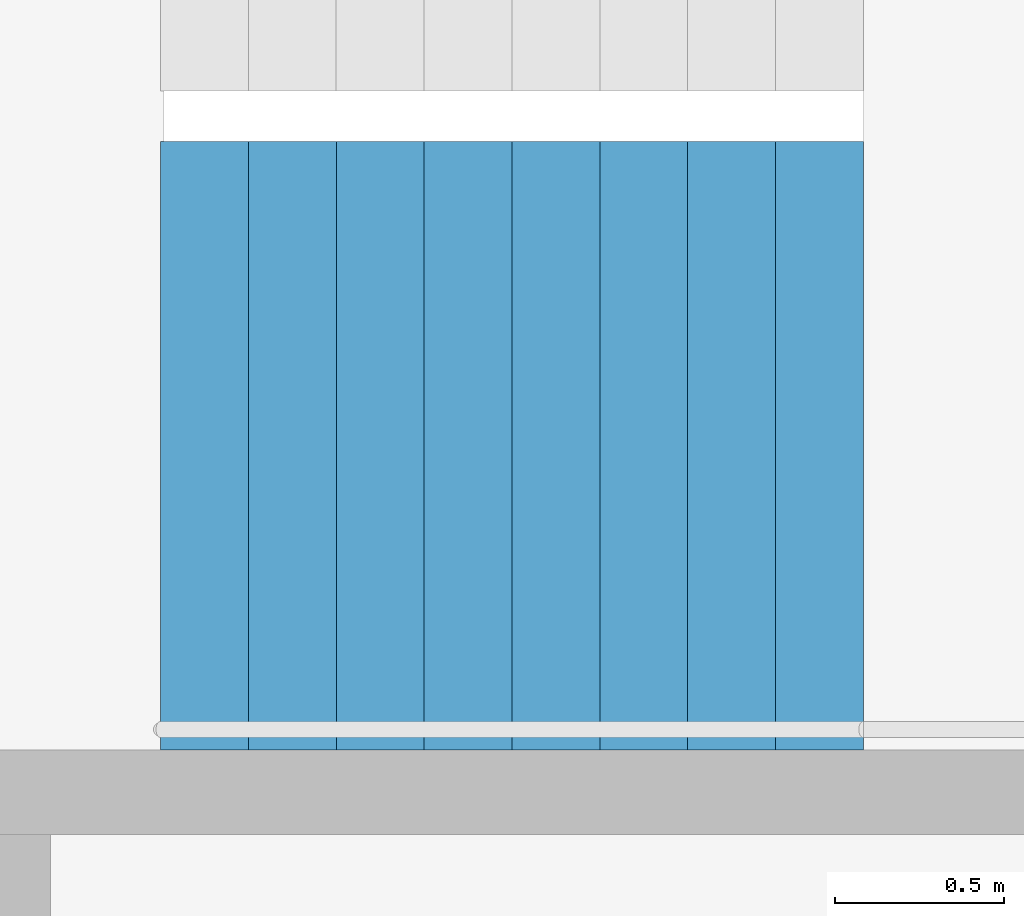
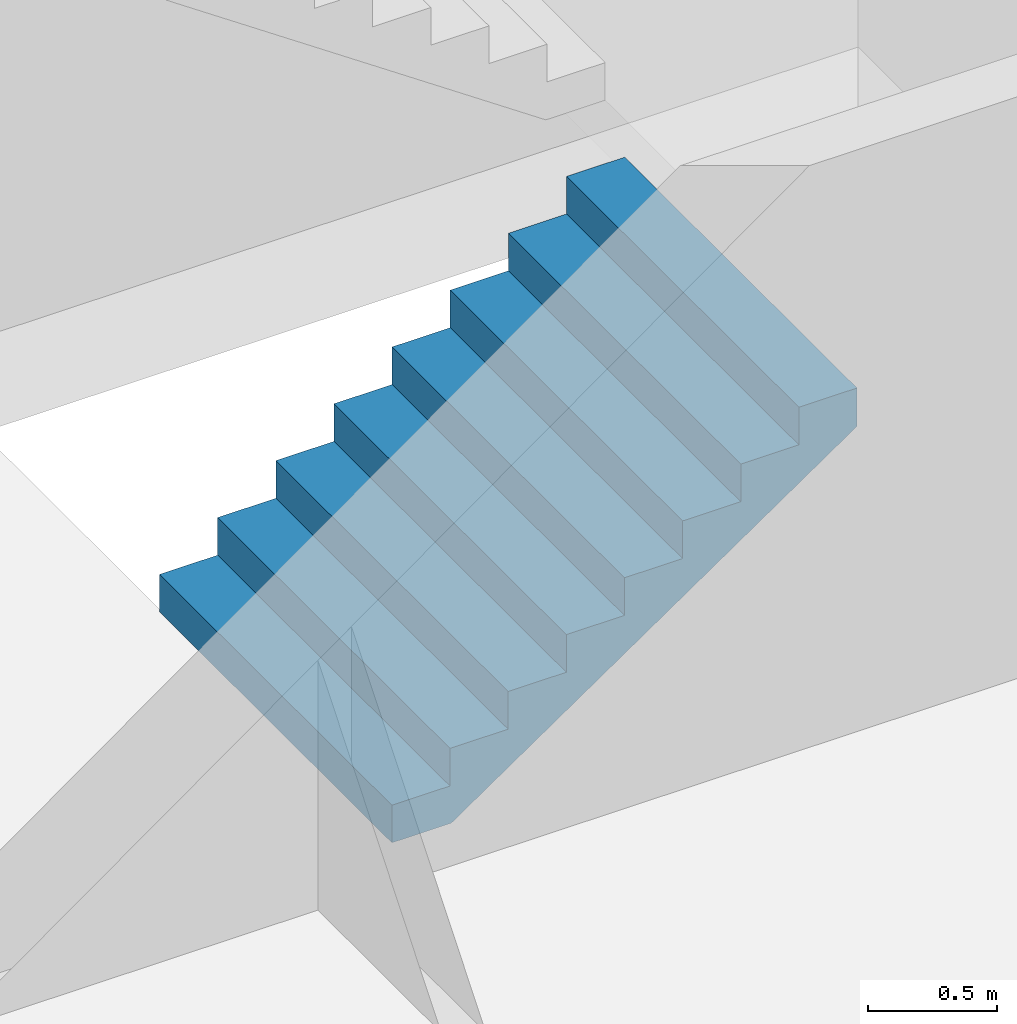
# One storey, part 18 of 28: 1 stair flight, 1 element without a shape of its own.
"""IFC4 building model written with IfcOpenShell, lengths in metres."""

import ifcopenshell
import ifcopenshell.guid

model = None  # the IFC model being written
_history = None  # IfcOwnerHistory: only IFC2X3 demands one
_inside = {}  # id of a spatial element -> (the spatial element, [elements in it])
_under = {}  # id of a project, library or spatial element -> (it, [spatial elements below it])
_declared = {}  # id of a project -> (the project, [libraries it declares])
_typed = {}  # id of a type object -> (the type object, [elements of that type])
_made_of = {}  # id of a material, layer set ... -> (it, [elements and type objects made of it])


def new_model(schema):
    """Start an empty IFC model of exactly this schema.

    Asked for "IFC4X3", IfcOpenShell would pick the latest addendum, in which some entities
    have other attributes; the version numbers below select the first issue.
    IFC2X3 requires an IfcOwnerHistory on every rooted entity: one is made here for all.
    """
    global model, _history
    if schema == "IFC4X3":
        model = ifcopenshell.file(schema_version=(4, 3, 0, 0))
    else:
        model = ifcopenshell.file(schema=schema)
    _inside.clear()
    _under.clear()
    _declared.clear()
    _typed.clear()
    _made_of.clear()
    _history = None
    if model.schema == "IFC2X3":
        org = make("IfcOrganization", Name="unknown")
        user = make(
            "IfcPersonAndOrganization",
            ThePerson=make("IfcPerson", FamilyName="unknown"),
            TheOrganization=org,
        )
        app = make(
            "IfcApplication",
            ApplicationDeveloper=org,
            Version="unknown",
            ApplicationFullName="unknown",
            ApplicationIdentifier="unknown",
        )
        _history = make(
            "IfcOwnerHistory",
            OwningUser=user,
            OwningApplication=app,
            ChangeAction="ADDED",
            CreationDate=0,
        )
    return model


def make(cls, **values):
    """One entity of the class cls with the attributes given. An attribute that is None is left unset."""
    return model.create_entity(
        cls, **{name: value for name, value in values.items() if value is not None}
    )


def rooted(cls, **values):
    """An entity with a GlobalId (a new one), such as an element, a storey or a relation."""
    return make(cls, GlobalId=ifcopenshell.guid.new(), OwnerHistory=_history, **values)


def si_unit(unit_type, name, prefix=None):
    """IfcSIUnit, for example si_unit("LENGTHUNIT", "METRE", prefix="MILLI")."""
    return make("IfcSIUnit", UnitType=unit_type, Prefix=prefix, Name=name)


def assignment(units):
    """IfcUnitAssignment: the units of a project."""
    return None if units is None else make("IfcUnitAssignment", Units=units)


def point(xyz):
    """IfcCartesianPoint."""
    return None if xyz is None else make("IfcCartesianPoint", Coordinates=xyz)


def direction(xyz):
    """IfcDirection."""
    return None if xyz is None else make("IfcDirection", DirectionRatios=xyz)


def frame(location, z_axis=None, x_axis=None):
    """IfcAxis2Placement3D, a coordinate frame: its origin and axes. An axis left out is left unset."""
    return make(
        "IfcAxis2Placement3D",
        Location=point(location),
        Axis=direction(z_axis),
        RefDirection=direction(x_axis),
    )


def origin():
    """The frame at (0, 0, 0) with its axes left unset."""
    return frame((0.0, 0.0, 0.0))


def place(relative_to, where):
    """IfcLocalPlacement: puts the frame where relative to a parent placement (None: the world)."""
    return make(
        "IfcLocalPlacement", PlacementRelTo=relative_to, RelativePlacement=where
    )


def context(
    kind, dimensions, precision=None, world=None, true_north=None, identifier=None
):
    """IfcGeometricRepresentationContext, for example the 3D "Model" context."""
    return make(
        "IfcGeometricRepresentationContext",
        ContextIdentifier=identifier,
        ContextType=kind,
        CoordinateSpaceDimension=dimensions,
        Precision=precision,
        WorldCoordinateSystem=world,
        TrueNorth=true_north,
    )


def subcontext(parent, identifier, kind, view, scale=None):
    """IfcGeometricRepresentationSubContext, for example "Body" below "Model"."""
    return make(
        "IfcGeometricRepresentationSubContext",
        ContextIdentifier=identifier,
        ContextType=kind,
        ParentContext=parent,
        TargetScale=scale,
        TargetView=view,
    )


def project(units=None, contexts=None):
    """IfcProject with its units and contexts."""
    return rooted(
        "IfcProject",
        Name="project",
        RepresentationContexts=contexts,
        UnitsInContext=assignment(units),
    )


def spatial(cls, under=None, at=None, **own):
    """A site, building, storey or space (cls), placed at a placement, below another one or the project."""
    s = rooted(cls, ObjectPlacement=at, **own)
    if under is not None:
        _under.setdefault(under.id(), (under, []))[1].append(s)
    return s


def point_list(points):
    """IfcCartesianPointList2D or 3D."""
    cls = (
        "IfcCartesianPointList2D" if len(points[0]) == 2 else "IfcCartesianPointList3D"
    )
    return make(cls, CoordList=points)


def triangles(points, corners, closed=None, point_numbers=None):
    """IfcTriangulatedFaceSet: each triangle names its three corners, points numbered from 1."""
    return make(
        "IfcTriangulatedFaceSet",
        Coordinates=point_list(points),
        Closed=closed,
        CoordIndex=corners,
        PnIndex=point_numbers,
    )


def shape(context_of_items, identifier, shape_type, items):
    """IfcShapeRepresentation: the items that make up one representation, for example the "Body"."""
    return make(
        "IfcShapeRepresentation",
        ContextOfItems=context_of_items,
        RepresentationIdentifier=identifier,
        RepresentationType=shape_type,
        Items=items,
    )


def material(Name=None, Category=None):
    """IfcMaterial."""
    return make("IfcMaterial", Name=Name, Category=Category)


def made_of(thing, what):
    """Note that an element or type object is made of a material, layer set ...; save() writes the relation."""
    if what is not None:
        _made_of.setdefault(what.id(), (what, []))[1].append(thing)
    return thing


def type_object(cls, material=None, **own):
    """A type object (cls), such as IfcWallType, which elements share."""
    return made_of(rooted(cls, **own), material)


def element(
    cls,
    number,
    at=None,
    inside=None,
    cuts=None,
    type_object=None,
    material=None,
    context=None,
    identifier="Body",
    shape_type=None,
    held_by="IfcProductDefinitionShape",
    body=None,
    shapes=None,
    **own,
):
    """One element of the class cls, such as IfcWall. Its Tag is "e" and its number.

    at: its placement. inside: the storey or other place that contains it. cuts: it is an
    opening in that element (IfcRelVoidsElement). A single representation is given by context,
    identifier, shape_type and body (its items); several are given by shapes. held_by: the class
    of the entity that holds the representations. save() writes the other relations.
    """
    e = rooted(cls, Tag="e%d" % number, ObjectPlacement=at, **own)
    if body is not None:
        shapes = [shape(context, identifier, shape_type, body)]
    if shapes is not None:
        e.Representation = make(held_by, Representations=shapes)
    if inside is not None:
        _inside.setdefault(inside.id(), (inside, []))[1].append(e)
    if cuts is not None:
        rooted(
            "IfcRelVoidsElement", RelatingBuildingElement=cuts, RelatedOpeningElement=e
        )
    if type_object is not None:
        _typed.setdefault(type_object.id(), (type_object, []))[1].append(e)
    return made_of(e, material)


def aggregate(whole, parts):
    """IfcRelAggregates: a whole, such as a stair, and the parts it consists of."""
    return rooted("IfcRelAggregates", RelatingObject=whole, RelatedObjects=parts)


def save(model, path):
    """Write the relations noted so far, then the file.

    IfcRelAggregates (storeys below a building ...), IfcRelContainedInSpatialStructure (elements
    in a storey), IfcRelDefinesByType, IfcRelAssociatesMaterial and IfcRelDeclares: one each for
    every whole, place, type object, material and project.
    """
    for whole, parts in _under.values():
        aggregate(whole, parts)
    for where, things in _inside.values():
        rooted(
            "IfcRelContainedInSpatialStructure",
            RelatedElements=things,
            RelatingStructure=where,
        )
    for kind, things in _typed.values():
        rooted("IfcRelDefinesByType", RelatedObjects=things, RelatingType=kind)
    for what, things in _made_of.values():
        rooted("IfcRelAssociatesMaterial", RelatedObjects=things, RelatingMaterial=what)
    for by, libraries in _declared.values():
        rooted("IfcRelDeclares", RelatingContext=by, RelatedDefinitions=libraries)
    model.write(path)


model = new_model("IFC4")

# Units and contexts
model_context = context("Model", 3, precision=1e-05, world=origin(), true_north=direction((0.0, 1.0)))
body_context = subcontext(model_context, "Body", "Model", "MODEL_VIEW")
ifc_project = project(units=[si_unit("LENGTHUNIT", "METRE"), si_unit("AREAUNIT", "SQUARE_METRE"), si_unit("VOLUMEUNIT", "CUBIC_METRE"), si_unit("PLANEANGLEUNIT", "RADIAN"), si_unit("MASSUNIT", "GRAM", prefix="KILO")], contexts=[model_context])

# Site, building, storey
site_placement = place(None, origin())
site = spatial("IfcSite", under=ifc_project, at=site_placement, CompositionType="ELEMENT")
building_placement = place(site_placement, origin())
building = spatial("IfcBuilding", under=site, at=building_placement, Name="Hakoniwa Tower and Hamabe Station Hall", CompositionType="ELEMENT")
storey_placement = place(building_placement, frame((0.0, 0.0, 193.0)))
storey = spatial("IfcBuildingStorey", under=building, at=storey_placement, Name="L54", CompositionType="ELEMENT", Elevation=193.0)

# Stair, stair flight
ifc_material_1 = material(Name="Concrete C40", Category="concrete")
stair_type = type_object("IfcStairType", Name="ESCAPE STAIR 1800", PredefinedType="HALF_TURN_STAIR", material=ifc_material_1)
stair_placement = place(storey_placement, origin())
stair = element("IfcStair", 1, at=stair_placement, inside=storey, type_object=stair_type, Name="Escape stair ST-1 L54", PredefinedType="HALF_TURN_STAIR")
ifc_material_2 = material(Name="Concrete C40", Category="concrete")
stair_flight_type = type_object("IfcStairFlightType", Name="STAIR FLIGHT 1800", PredefinedType="STRAIGHT", material=ifc_material_2)
stair_flight_placement = place(storey_placement, frame((-24.39990234375, 4.64990234375, 0.0), z_axis=(0.0, 0.0, 1.0), x_axis=(1.0, 0.0, 0.0)))
stair_flight = element("IfcStairFlight", 2, at=stair_flight_placement, type_object=stair_flight_type, Name="ST-1 flight 1", NumberOfRisers=9, NumberOfTreads=8, PredefinedType="STRAIGHT", RiserHeight=0.177777778, TreadLength=0.26, context=body_context, shape_type="Tessellation", body=[
    triangles([(0.0, 0.89990234375, 0.0), (0.260009765625, 0.89990234375, 0.0), (0.265625, 0.89990234375, 0.0), (0.52001953125, 0.89990234375, 0.174072265625), (0.780029296875, 0.89990234375, 0.351806640625), (1.0400390625, 0.89990234375, 0.529541015625), (1.300048828125, 0.89990234375, 0.707275390625), (1.56005859375, 0.89990234375, 0.885009765625), (1.820068359375, 0.89990234375, 1.062744140625), (2.080078125, 0.89990234375, 1.24072265625), (2.080078125, 0.89990234375, 1.422119140625), (1.820068359375, 0.89990234375, 1.422119140625), (1.820068359375, 0.89990234375, 1.244384765625), (1.56005859375, 0.89990234375, 1.244384765625), (1.56005859375, 0.89990234375, 1.066650390625), (1.300048828125, 0.89990234375, 1.066650390625), (1.300048828125, 0.89990234375, 0.888916015625), (1.0400390625, 0.89990234375, 0.888916015625), (1.0400390625, 0.89990234375, 0.711181640625), (0.780029296875, 0.89990234375, 0.711181640625), (0.780029296875, 0.89990234375, 0.533447265625), (0.52001953125, 0.89990234375, 0.533447265625), (0.52001953125, 0.89990234375, 0.35546875), (0.265625, 0.89990234375, 0.35546875), (0.260009765625, 0.89990234375, 0.35546875), (0.260009765625, 0.89990234375, 0.177734375), (0.0, 0.89990234375, 0.177734375), (0.0, 0.06005859375, 0.0), (0.260009765625, 0.06005859375, 0.0), (0.265625, 0.06005859375, 0.0), (0.52001953125, 0.06005859375, 0.174072265625), (0.780029296875, 0.06005859375, 0.351806640625), (1.0400390625, 0.06005859375, 0.529541015625), (1.300048828125, 0.06005859375, 0.707275390625), (1.56005859375, 0.06005859375, 0.885009765625), (1.820068359375, 0.06005859375, 1.062744140625), (2.080078125, 0.06005859375, 1.24072265625), (2.080078125, 0.06005859375, 1.422119140625), (1.820068359375, 0.06005859375, 1.422119140625), (1.820068359375, 0.06005859375, 1.244384765625), (1.56005859375, 0.06005859375, 1.244384765625), (1.56005859375, 0.06005859375, 1.066650390625), (1.300048828125, 0.06005859375, 1.066650390625), (1.300048828125, 0.06005859375, 0.888916015625), (1.0400390625, 0.06005859375, 0.888916015625), (1.0400390625, 0.06005859375, 0.711181640625), (0.780029296875, 0.06005859375, 0.711181640625), (0.780029296875, 0.06005859375, 0.533447265625), (0.52001953125, 0.06005859375, 0.533447265625), (0.52001953125, 0.06005859375, 0.35546875), (0.265625, 0.06005859375, 0.35546875), (0.260009765625, 0.06005859375, 0.35546875), (0.260009765625, 0.06005859375, 0.177734375), (0.0, 0.06005859375, 0.177734375), (0.0, 0.04296875, 0.0), (0.260009765625, 0.04296875, 0.0), (0.265625, 0.04296875, 0.0), (0.52001953125, 0.04296875, 0.174072265625), (0.780029296875, 0.04296875, 0.351806640625), (1.0400390625, 0.04296875, 0.529541015625), (1.300048828125, 0.04296875, 0.707275390625), (1.56005859375, 0.04296875, 0.885009765625), (1.820068359375, 0.04296875, 1.062744140625), (2.080078125, 0.04296875, 1.24072265625), (2.080078125, 0.04296875, 1.422119140625), (1.820068359375, 0.04296875, 1.422119140625), (1.820068359375, 0.04296875, 1.244384765625), (1.56005859375, 0.04296875, 1.244384765625), (1.56005859375, 0.04296875, 1.066650390625), (1.300048828125, 0.04296875, 1.066650390625), (1.300048828125, 0.04296875, 0.888916015625), (1.0400390625, 0.04296875, 0.888916015625), (1.0400390625, 0.04296875, 0.711181640625), (0.780029296875, 0.04296875, 0.711181640625), (0.780029296875, 0.04296875, 0.533447265625), (0.52001953125, 0.04296875, 0.533447265625), (0.52001953125, 0.04296875, 0.35546875), (0.265625, 0.04296875, 0.35546875), (0.260009765625, 0.04296875, 0.35546875), (0.260009765625, 0.04296875, 0.177734375), (0.0, 0.04296875, 0.177734375), (0.0, 0.025634765625, 0.0), (0.260009765625, 0.025634765625, 0.0), (0.265625, 0.025634765625, 0.0), (0.52001953125, 0.025634765625, 0.174072265625), (0.780029296875, 0.025634765625, 0.351806640625), (1.0400390625, 0.025634765625, 0.529541015625), (1.300048828125, 0.025634765625, 0.707275390625), (1.56005859375, 0.025634765625, 0.885009765625), (1.820068359375, 0.025634765625, 1.062744140625), (2.080078125, 0.025634765625, 1.24072265625), (2.080078125, 0.025634765625, 1.422119140625), (1.820068359375, 0.025634765625, 1.422119140625), (1.820068359375, 0.025634765625, 1.244384765625), (1.56005859375, 0.025634765625, 1.244384765625), (1.56005859375, 0.025634765625, 1.066650390625), (1.300048828125, 0.025634765625, 1.066650390625), (1.300048828125, 0.025634765625, 0.888916015625), (1.0400390625, 0.025634765625, 0.888916015625), (1.0400390625, 0.025634765625, 0.711181640625), (0.780029296875, 0.025634765625, 0.711181640625), (0.780029296875, 0.025634765625, 0.533447265625), (0.52001953125, 0.025634765625, 0.533447265625), (0.52001953125, 0.025634765625, 0.35546875), (0.265625, 0.025634765625, 0.35546875), (0.260009765625, 0.025634765625, 0.35546875), (0.260009765625, 0.025634765625, 0.177734375), (0.0, 0.025634765625, 0.177734375), (0.0, 0.008544921875, 0.0), (0.260009765625, 0.008544921875, 0.0), (0.265625, 0.008544921875, 0.0), (0.52001953125, 0.008544921875, 0.174072265625), (0.780029296875, 0.008544921875, 0.351806640625), (1.0400390625, 0.008544921875, 0.529541015625), (1.300048828125, 0.008544921875, 0.707275390625), (1.56005859375, 0.008544921875, 0.885009765625), (1.820068359375, 0.008544921875, 1.062744140625), (2.080078125, 0.008544921875, 1.24072265625), (2.080078125, 0.008544921875, 1.422119140625), (1.820068359375, 0.008544921875, 1.422119140625), (1.820068359375, 0.008544921875, 1.244384765625), (1.56005859375, 0.008544921875, 1.244384765625), (1.56005859375, 0.008544921875, 1.066650390625), (1.300048828125, 0.008544921875, 1.066650390625), (1.300048828125, 0.008544921875, 0.888916015625), (1.0400390625, 0.008544921875, 0.888916015625), (1.0400390625, 0.008544921875, 0.711181640625), (0.780029296875, 0.008544921875, 0.711181640625), (0.780029296875, 0.008544921875, 0.533447265625), (0.52001953125, 0.008544921875, 0.533447265625), (0.52001953125, 0.008544921875, 0.35546875), (0.265625, 0.008544921875, 0.35546875), (0.260009765625, 0.008544921875, 0.35546875), (0.260009765625, 0.008544921875, 0.177734375), (0.0, 0.008544921875, 0.177734375), (0.0, -0.008544921875, 0.0), (0.260009765625, -0.008544921875, 0.0), (0.265625, -0.008544921875, 0.0), (0.52001953125, -0.008544921875, 0.174072265625), (0.780029296875, -0.008544921875, 0.351806640625), (1.0400390625, -0.008544921875, 0.529541015625), (1.300048828125, -0.008544921875, 0.707275390625), (1.56005859375, -0.008544921875, 0.885009765625), (1.820068359375, -0.008544921875, 1.062744140625), (2.080078125, -0.008544921875, 1.24072265625), (2.080078125, -0.008544921875, 1.422119140625), (1.820068359375, -0.008544921875, 1.422119140625), (1.820068359375, -0.008544921875, 1.244384765625), (1.56005859375, -0.008544921875, 1.244384765625), (1.56005859375, -0.008544921875, 1.066650390625), (1.300048828125, -0.008544921875, 1.066650390625), (1.300048828125, -0.008544921875, 0.888916015625), (1.0400390625, -0.008544921875, 0.888916015625), (1.0400390625, -0.008544921875, 0.711181640625), (0.780029296875, -0.008544921875, 0.711181640625), (0.780029296875, -0.008544921875, 0.533447265625), (0.52001953125, -0.008544921875, 0.533447265625), (0.52001953125, -0.008544921875, 0.35546875), (0.265625, -0.008544921875, 0.35546875), (0.260009765625, -0.008544921875, 0.35546875), (0.260009765625, -0.008544921875, 0.177734375), (0.0, -0.008544921875, 0.177734375), (0.0, -0.025634765625, 0.0), (0.260009765625, -0.025634765625, 0.0), (0.265625, -0.025634765625, 0.0), (0.52001953125, -0.025634765625, 0.174072265625), (0.780029296875, -0.025634765625, 0.351806640625), (1.0400390625, -0.025634765625, 0.529541015625), (1.300048828125, -0.025634765625, 0.707275390625), (1.56005859375, -0.025634765625, 0.885009765625), (1.820068359375, -0.025634765625, 1.062744140625), (2.080078125, -0.025634765625, 1.24072265625), (2.080078125, -0.025634765625, 1.422119140625), (1.820068359375, -0.025634765625, 1.422119140625), (1.820068359375, -0.025634765625, 1.244384765625), (1.56005859375, -0.025634765625, 1.244384765625), (1.56005859375, -0.025634765625, 1.066650390625), (1.300048828125, -0.025634765625, 1.066650390625), (1.300048828125, -0.025634765625, 0.888916015625), (1.0400390625, -0.025634765625, 0.888916015625), (1.0400390625, -0.025634765625, 0.711181640625), (0.780029296875, -0.025634765625, 0.711181640625), (0.780029296875, -0.025634765625, 0.533447265625), (0.52001953125, -0.025634765625, 0.533447265625), (0.52001953125, -0.025634765625, 0.35546875), (0.265625, -0.025634765625, 0.35546875), (0.260009765625, -0.025634765625, 0.35546875), (0.260009765625, -0.025634765625, 0.177734375), (0.0, -0.025634765625, 0.177734375), (0.0, -0.04296875, 0.0), (0.260009765625, -0.04296875, 0.0), (0.265625, -0.04296875, 0.0), (0.52001953125, -0.04296875, 0.174072265625), (0.780029296875, -0.04296875, 0.351806640625), (1.0400390625, -0.04296875, 0.529541015625), (1.300048828125, -0.04296875, 0.707275390625), (1.56005859375, -0.04296875, 0.885009765625), (1.820068359375, -0.04296875, 1.062744140625), (2.080078125, -0.04296875, 1.24072265625), (2.080078125, -0.04296875, 1.422119140625), (1.820068359375, -0.04296875, 1.422119140625), (1.820068359375, -0.04296875, 1.244384765625), (1.56005859375, -0.04296875, 1.244384765625), (1.56005859375, -0.04296875, 1.066650390625), (1.300048828125, -0.04296875, 1.066650390625), (1.300048828125, -0.04296875, 0.888916015625), (1.0400390625, -0.04296875, 0.888916015625), (1.0400390625, -0.04296875, 0.711181640625), (0.780029296875, -0.04296875, 0.711181640625), (0.780029296875, -0.04296875, 0.533447265625), (0.52001953125, -0.04296875, 0.533447265625), (0.52001953125, -0.04296875, 0.35546875), (0.265625, -0.04296875, 0.35546875), (0.260009765625, -0.04296875, 0.35546875), (0.260009765625, -0.04296875, 0.177734375), (0.0, -0.04296875, 0.177734375), (0.0, -0.06005859375, 0.0), (0.260009765625, -0.06005859375, 0.0), (0.265625, -0.06005859375, 0.0), (0.52001953125, -0.06005859375, 0.174072265625), (0.780029296875, -0.06005859375, 0.351806640625), (1.0400390625, -0.06005859375, 0.529541015625), (1.300048828125, -0.06005859375, 0.707275390625), (1.56005859375, -0.06005859375, 0.885009765625), (1.820068359375, -0.06005859375, 1.062744140625), (2.080078125, -0.06005859375, 1.24072265625), (2.080078125, -0.06005859375, 1.422119140625), (1.820068359375, -0.06005859375, 1.422119140625), (1.820068359375, -0.06005859375, 1.244384765625), (1.56005859375, -0.06005859375, 1.244384765625), (1.56005859375, -0.06005859375, 1.066650390625), (1.300048828125, -0.06005859375, 1.066650390625), (1.300048828125, -0.06005859375, 0.888916015625), (1.0400390625, -0.06005859375, 0.888916015625), (1.0400390625, -0.06005859375, 0.711181640625), (0.780029296875, -0.06005859375, 0.711181640625), (0.780029296875, -0.06005859375, 0.533447265625), (0.52001953125, -0.06005859375, 0.533447265625), (0.52001953125, -0.06005859375, 0.35546875), (0.265625, -0.06005859375, 0.35546875), (0.260009765625, -0.06005859375, 0.35546875), (0.260009765625, -0.06005859375, 0.177734375), (0.0, -0.06005859375, 0.177734375), (0.0, -0.89990234375, 0.0), (0.260009765625, -0.89990234375, 0.0), (0.265625, -0.89990234375, 0.0), (0.52001953125, -0.89990234375, 0.174072265625), (0.780029296875, -0.89990234375, 0.351806640625), (1.0400390625, -0.89990234375, 0.529541015625), (1.300048828125, -0.89990234375, 0.707275390625), (1.56005859375, -0.89990234375, 0.885009765625), (1.820068359375, -0.89990234375, 1.062744140625), (2.080078125, -0.89990234375, 1.24072265625), (2.080078125, -0.89990234375, 1.422119140625), (1.820068359375, -0.89990234375, 1.422119140625), (1.820068359375, -0.89990234375, 1.244384765625), (1.56005859375, -0.89990234375, 1.244384765625), (1.56005859375, -0.89990234375, 1.066650390625), (1.300048828125, -0.89990234375, 1.066650390625), (1.300048828125, -0.89990234375, 0.888916015625), (1.0400390625, -0.89990234375, 0.888916015625), (1.0400390625, -0.89990234375, 0.711181640625), (0.780029296875, -0.89990234375, 0.711181640625), (0.780029296875, -0.89990234375, 0.533447265625), (0.52001953125, -0.89990234375, 0.533447265625), (0.52001953125, -0.89990234375, 0.35546875), (0.265625, -0.89990234375, 0.35546875), (0.260009765625, -0.89990234375, 0.35546875), (0.260009765625, -0.89990234375, 0.177734375), (0.0, -0.89990234375, 0.177734375)], [[2, 27, 26], [245, 269, 270], [2, 1, 27], [245, 270, 244], [3, 25, 24], [246, 267, 268], [3, 26, 25], [246, 268, 269], [3, 2, 26], [246, 269, 245], [4, 24, 23], [247, 266, 267], [4, 3, 24], [247, 267, 246], [5, 22, 21], [248, 264, 265], [5, 23, 22], [248, 265, 266], [5, 4, 23], [248, 266, 247], [6, 20, 19], [249, 262, 263], [6, 21, 20], [249, 263, 264], [6, 5, 21], [249, 264, 248], [7, 18, 17], [250, 260, 261], [7, 19, 18], [250, 261, 262], [7, 6, 19], [250, 262, 249], [8, 16, 15], [251, 258, 259], [8, 17, 16], [251, 259, 260], [8, 7, 17], [251, 260, 250], [9, 14, 13], [252, 256, 257], [9, 15, 14], [252, 257, 258], [9, 8, 15], [252, 258, 251], [10, 12, 11], [253, 254, 255], [10, 13, 12], [253, 255, 256], [10, 9, 13], [253, 256, 252], [1, 2, 29], [1, 29, 28], [28, 29, 56], [28, 56, 55], [55, 56, 83], [55, 83, 82], [82, 83, 110], [82, 110, 109], [109, 110, 137], [109, 137, 136], [136, 137, 164], [136, 164, 163], [163, 164, 191], [163, 191, 190], [190, 191, 218], [190, 218, 217], [217, 218, 245], [217, 245, 244], [2, 3, 30], [2, 30, 29], [29, 30, 57], [29, 57, 56], [56, 57, 84], [56, 84, 83], [83, 84, 111], [83, 111, 110], [110, 111, 138], [110, 138, 137], [137, 138, 165], [137, 165, 164], [164, 165, 192], [164, 192, 191], [191, 192, 219], [191, 219, 218], [218, 219, 246], [218, 246, 245], [3, 4, 31], [3, 31, 30], [30, 31, 58], [30, 58, 57], [57, 58, 85], [57, 85, 84], [84, 85, 112], [84, 112, 111], [111, 112, 139], [111, 139, 138], [138, 139, 166], [138, 166, 165], [165, 166, 193], [165, 193, 192], [192, 193, 220], [192, 220, 219], [219, 220, 247], [219, 247, 246], [4, 5, 32], [4, 32, 31], [31, 32, 59], [31, 59, 58], [58, 59, 86], [58, 86, 85], [85, 86, 113], [85, 113, 112], [112, 113, 140], [112, 140, 139], [139, 140, 167], [139, 167, 166], [166, 167, 194], [166, 194, 193], [193, 194, 221], [193, 221, 220], [220, 221, 248], [220, 248, 247], [5, 6, 33], [5, 33, 32], [32, 33, 60], [32, 60, 59], [59, 60, 87], [59, 87, 86], [86, 87, 114], [86, 114, 113], [113, 114, 141], [113, 141, 140], [140, 141, 168], [140, 168, 167], [167, 168, 195], [167, 195, 194], [194, 195, 222], [194, 222, 221], [221, 222, 249], [221, 249, 248], [6, 7, 34], [6, 34, 33], [33, 34, 61], [33, 61, 60], [60, 61, 88], [60, 88, 87], [87, 88, 115], [87, 115, 114], [114, 115, 142], [114, 142, 141], [141, 142, 169], [141, 169, 168], [168, 169, 196], [168, 196, 195], [195, 196, 223], [195, 223, 222], [222, 223, 250], [222, 250, 249], [7, 8, 35], [7, 35, 34], [34, 35, 62], [34, 62, 61], [61, 62, 89], [61, 89, 88], [88, 89, 116], [88, 116, 115], [115, 116, 143], [115, 143, 142], [142, 143, 170], [142, 170, 169], [169, 170, 197], [169, 197, 196], [196, 197, 224], [196, 224, 223], [223, 224, 251], [223, 251, 250], [8, 9, 36], [8, 36, 35], [35, 36, 63], [35, 63, 62], [62, 63, 90], [62, 90, 89], [89, 90, 117], [89, 117, 116], [116, 117, 144], [116, 144, 143], [143, 144, 171], [143, 171, 170], [170, 171, 198], [170, 198, 197], [197, 198, 225], [197, 225, 224], [224, 225, 252], [224, 252, 251], [9, 10, 37], [9, 37, 36], [36, 37, 64], [36, 64, 63], [63, 64, 91], [63, 91, 90], [90, 91, 118], [90, 118, 117], [117, 118, 145], [117, 145, 144], [144, 145, 172], [144, 172, 171], [171, 172, 199], [171, 199, 198], [198, 199, 226], [198, 226, 225], [225, 226, 253], [225, 253, 252], [10, 11, 38], [10, 38, 37], [37, 38, 65], [37, 65, 64], [64, 65, 92], [64, 92, 91], [91, 92, 119], [91, 119, 118], [118, 119, 146], [118, 146, 145], [145, 146, 173], [145, 173, 172], [172, 173, 200], [172, 200, 199], [199, 200, 227], [199, 227, 226], [226, 227, 254], [226, 254, 253], [11, 12, 39], [11, 39, 38], [38, 39, 66], [38, 66, 65], [65, 66, 93], [65, 93, 92], [92, 93, 120], [92, 120, 119], [119, 120, 147], [119, 147, 146], [146, 147, 174], [146, 174, 173], [173, 174, 201], [173, 201, 200], [200, 201, 228], [200, 228, 227], [227, 228, 255], [227, 255, 254], [12, 13, 40], [12, 40, 39], [39, 40, 67], [39, 67, 66], [66, 67, 94], [66, 94, 93], [93, 94, 121], [93, 121, 120], [120, 121, 148], [120, 148, 147], [147, 148, 175], [147, 175, 174], [174, 175, 202], [174, 202, 201], [201, 202, 229], [201, 229, 228], [228, 229, 256], [228, 256, 255], [13, 14, 41], [13, 41, 40], [40, 41, 68], [40, 68, 67], [67, 68, 95], [67, 95, 94], [94, 95, 122], [94, 122, 121], [121, 122, 149], [121, 149, 148], [148, 149, 176], [148, 176, 175], [175, 176, 203], [175, 203, 202], [202, 203, 230], [202, 230, 229], [229, 230, 257], [229, 257, 256], [14, 15, 42], [14, 42, 41], [41, 42, 69], [41, 69, 68], [68, 69, 96], [68, 96, 95], [95, 96, 123], [95, 123, 122], [122, 123, 150], [122, 150, 149], [149, 150, 177], [149, 177, 176], [176, 177, 204], [176, 204, 203], [203, 204, 231], [203, 231, 230], [230, 231, 258], [230, 258, 257], [15, 16, 43], [15, 43, 42], [42, 43, 70], [42, 70, 69], [69, 70, 97], [69, 97, 96], [96, 97, 124], [96, 124, 123], [123, 124, 151], [123, 151, 150], [150, 151, 178], [150, 178, 177], [177, 178, 205], [177, 205, 204], [204, 205, 232], [204, 232, 231], [231, 232, 259], [231, 259, 258], [16, 17, 44], [16, 44, 43], [43, 44, 71], [43, 71, 70], [70, 71, 98], [70, 98, 97], [97, 98, 125], [97, 125, 124], [124, 125, 152], [124, 152, 151], [151, 152, 179], [151, 179, 178], [178, 179, 206], [178, 206, 205], [205, 206, 233], [205, 233, 232], [232, 233, 260], [232, 260, 259], [17, 18, 45], [17, 45, 44], [44, 45, 72], [44, 72, 71], [71, 72, 99], [71, 99, 98], [98, 99, 126], [98, 126, 125], [125, 126, 153], [125, 153, 152], [152, 153, 180], [152, 180, 179], [179, 180, 207], [179, 207, 206], [206, 207, 234], [206, 234, 233], [233, 234, 261], [233, 261, 260], [18, 19, 46], [18, 46, 45], [45, 46, 73], [45, 73, 72], [72, 73, 100], [72, 100, 99], [99, 100, 127], [99, 127, 126], [126, 127, 154], [126, 154, 153], [153, 154, 181], [153, 181, 180], [180, 181, 208], [180, 208, 207], [207, 208, 235], [207, 235, 234], [234, 235, 262], [234, 262, 261], [19, 20, 47], [19, 47, 46], [46, 47, 74], [46, 74, 73], [73, 74, 101], [73, 101, 100], [100, 101, 128], [100, 128, 127], [127, 128, 155], [127, 155, 154], [154, 155, 182], [154, 182, 181], [181, 182, 209], [181, 209, 208], [208, 209, 236], [208, 236, 235], [235, 236, 263], [235, 263, 262], [20, 21, 48], [20, 48, 47], [47, 48, 75], [47, 75, 74], [74, 75, 102], [74, 102, 101], [101, 102, 129], [101, 129, 128], [128, 129, 156], [128, 156, 155], [155, 156, 183], [155, 183, 182], [182, 183, 210], [182, 210, 209], [209, 210, 237], [209, 237, 236], [236, 237, 264], [236, 264, 263], [21, 22, 49], [21, 49, 48], [48, 49, 76], [48, 76, 75], [75, 76, 103], [75, 103, 102], [102, 103, 130], [102, 130, 129], [129, 130, 157], [129, 157, 156], [156, 157, 184], [156, 184, 183], [183, 184, 211], [183, 211, 210], [210, 211, 238], [210, 238, 237], [237, 238, 265], [237, 265, 264], [22, 23, 50], [22, 50, 49], [49, 50, 77], [49, 77, 76], [76, 77, 104], [76, 104, 103], [103, 104, 131], [103, 131, 130], [130, 131, 158], [130, 158, 157], [157, 158, 185], [157, 185, 184], [184, 185, 212], [184, 212, 211], [211, 212, 239], [211, 239, 238], [238, 239, 266], [238, 266, 265], [23, 24, 51], [23, 51, 50], [50, 51, 78], [50, 78, 77], [77, 78, 105], [77, 105, 104], [104, 105, 132], [104, 132, 131], [131, 132, 159], [131, 159, 158], [158, 159, 186], [158, 186, 185], [185, 186, 213], [185, 213, 212], [212, 213, 240], [212, 240, 239], [239, 240, 267], [239, 267, 266], [24, 25, 52], [24, 52, 51], [51, 52, 79], [51, 79, 78], [78, 79, 106], [78, 106, 105], [105, 106, 133], [105, 133, 132], [132, 133, 160], [132, 160, 159], [159, 160, 187], [159, 187, 186], [186, 187, 214], [186, 214, 213], [213, 214, 241], [213, 241, 240], [240, 241, 268], [240, 268, 267], [25, 26, 53], [25, 53, 52], [52, 53, 80], [52, 80, 79], [79, 80, 107], [79, 107, 106], [106, 107, 134], [106, 134, 133], [133, 134, 161], [133, 161, 160], [160, 161, 188], [160, 188, 187], [187, 188, 215], [187, 215, 214], [214, 215, 242], [214, 242, 241], [241, 242, 269], [241, 269, 268], [26, 27, 54], [26, 54, 53], [53, 54, 81], [53, 81, 80], [80, 81, 108], [80, 108, 107], [107, 108, 135], [107, 135, 134], [134, 135, 162], [134, 162, 161], [161, 162, 189], [161, 189, 188], [188, 189, 216], [188, 216, 215], [215, 216, 243], [215, 243, 242], [242, 243, 270], [242, 270, 269], [27, 1, 28], [27, 28, 54], [54, 28, 55], [54, 55, 81], [81, 55, 82], [81, 82, 108], [108, 82, 109], [108, 109, 135], [135, 109, 136], [135, 136, 162], [162, 136, 163], [162, 163, 189], [189, 163, 190], [189, 190, 216], [216, 190, 217], [216, 217, 243], [243, 217, 244], [243, 244, 270]], closed=True),
])
aggregate(stair, [stair_flight])

save(model, "model.ifc")
